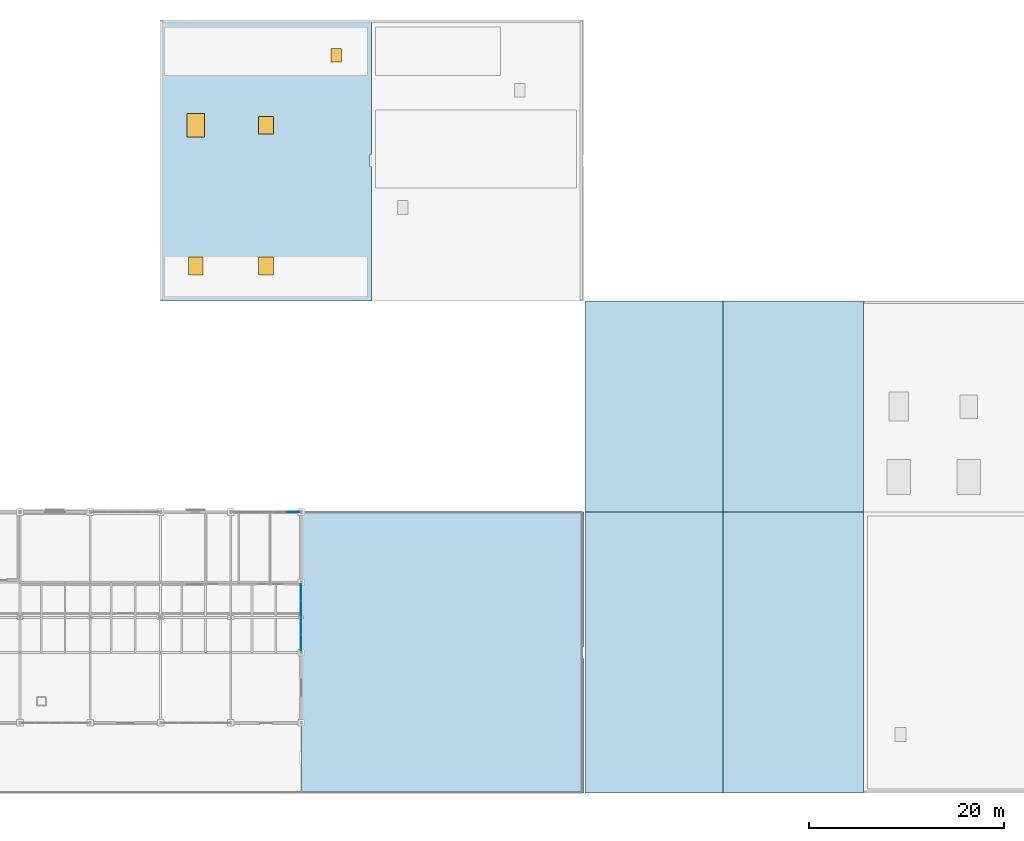
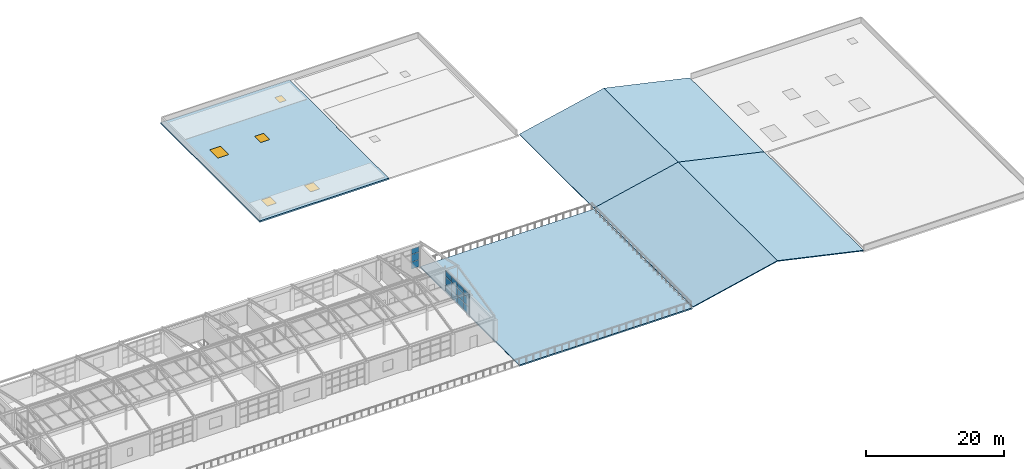
# One storey, part 87 of 101: 15 plates, 6 slabs, 4 windows, 1 door, 5 openings, 2 elements without a shape of their own.
"""IFC4 building model written with IfcOpenShell, lengths in metres."""

import ifcopenshell
import ifcopenshell.guid

model = None  # the IFC model being written
_history = None  # IfcOwnerHistory: only IFC2X3 demands one
_inside = {}  # id of a spatial element -> (the spatial element, [elements in it])
_under = {}  # id of a project, library or spatial element -> (it, [spatial elements below it])
_declared = {}  # id of a project -> (the project, [libraries it declares])
_typed = {}  # id of a type object -> (the type object, [elements of that type])
_made_of = {}  # id of a material, layer set ... -> (it, [elements and type objects made of it])


def new_model(schema):
    """Start an empty IFC model of exactly this schema.

    Asked for "IFC4X3", IfcOpenShell would pick the latest addendum, in which some entities
    have other attributes; the version numbers below select the first issue.
    IFC2X3 requires an IfcOwnerHistory on every rooted entity: one is made here for all.
    """
    global model, _history
    if schema == "IFC4X3":
        model = ifcopenshell.file(schema_version=(4, 3, 0, 0))
    else:
        model = ifcopenshell.file(schema=schema)
    _inside.clear()
    _under.clear()
    _declared.clear()
    _typed.clear()
    _made_of.clear()
    _history = None
    if model.schema == "IFC2X3":
        org = make("IfcOrganization", Name="unknown")
        user = make(
            "IfcPersonAndOrganization",
            ThePerson=make("IfcPerson", FamilyName="unknown"),
            TheOrganization=org,
        )
        app = make(
            "IfcApplication",
            ApplicationDeveloper=org,
            Version="unknown",
            ApplicationFullName="unknown",
            ApplicationIdentifier="unknown",
        )
        _history = make(
            "IfcOwnerHistory",
            OwningUser=user,
            OwningApplication=app,
            ChangeAction="ADDED",
            CreationDate=0,
        )
    return model


def make(cls, **values):
    """One entity of the class cls with the attributes given. An attribute that is None is left unset."""
    return model.create_entity(
        cls, **{name: value for name, value in values.items() if value is not None}
    )


def rooted(cls, **values):
    """An entity with a GlobalId (a new one), such as an element, a storey or a relation."""
    return make(cls, GlobalId=ifcopenshell.guid.new(), OwnerHistory=_history, **values)


def si_unit(unit_type, name, prefix=None):
    """IfcSIUnit, for example si_unit("LENGTHUNIT", "METRE", prefix="MILLI")."""
    return make("IfcSIUnit", UnitType=unit_type, Prefix=prefix, Name=name)


def assignment(units):
    """IfcUnitAssignment: the units of a project."""
    return None if units is None else make("IfcUnitAssignment", Units=units)


def point(xyz):
    """IfcCartesianPoint."""
    return None if xyz is None else make("IfcCartesianPoint", Coordinates=xyz)


def direction(xyz):
    """IfcDirection."""
    return None if xyz is None else make("IfcDirection", DirectionRatios=xyz)


def frame(location, z_axis=None, x_axis=None):
    """IfcAxis2Placement3D, a coordinate frame: its origin and axes. An axis left out is left unset."""
    return make(
        "IfcAxis2Placement3D",
        Location=point(location),
        Axis=direction(z_axis),
        RefDirection=direction(x_axis),
    )


def frame_2d(location, x_axis=None):
    """IfcAxis2Placement2D, a coordinate frame in the plane: its origin and x axis."""
    return make(
        "IfcAxis2Placement2D", Location=point(location), RefDirection=direction(x_axis)
    )


def origin():
    """The frame at (0, 0, 0) with its axes left unset."""
    return frame((0.0, 0.0, 0.0))


def origin_2d():
    """The frame at (0, 0) in the plane with its x axis left unset."""
    return frame_2d((0.0, 0.0))


def place(relative_to, where):
    """IfcLocalPlacement: puts the frame where relative to a parent placement (None: the world)."""
    return make(
        "IfcLocalPlacement", PlacementRelTo=relative_to, RelativePlacement=where
    )


def context(
    kind, dimensions, precision=None, world=None, true_north=None, identifier=None
):
    """IfcGeometricRepresentationContext, for example the 3D "Model" context."""
    return make(
        "IfcGeometricRepresentationContext",
        ContextIdentifier=identifier,
        ContextType=kind,
        CoordinateSpaceDimension=dimensions,
        Precision=precision,
        WorldCoordinateSystem=world,
        TrueNorth=true_north,
    )


def subcontext(parent, identifier, kind, view, scale=None):
    """IfcGeometricRepresentationSubContext, for example "Body" below "Model"."""
    return make(
        "IfcGeometricRepresentationSubContext",
        ContextIdentifier=identifier,
        ContextType=kind,
        ParentContext=parent,
        TargetScale=scale,
        TargetView=view,
    )


def project(units=None, contexts=None):
    """IfcProject with its units and contexts."""
    return rooted(
        "IfcProject",
        Name="project",
        RepresentationContexts=contexts,
        UnitsInContext=assignment(units),
    )


def spatial(cls, under=None, at=None, **own):
    """A site, building, storey or space (cls), placed at a placement, below another one or the project."""
    s = rooted(cls, ObjectPlacement=at, **own)
    if under is not None:
        _under.setdefault(under.id(), (under, []))[1].append(s)
    return s


def polyline(points):
    """IfcPolyline through the points."""
    return make("IfcPolyline", Points=[point(p) for p in points])


def profile(cls, at=None, kind="AREA", **sizes):
    """A parametric profile (cls). Its sizes go by their IFC names, for example OverallWidth=200.0."""
    return make(cls, ProfileType=kind, Position=at, **sizes)


def rectangle(**sizes):
    """IfcRectangleProfileDef."""
    return profile("IfcRectangleProfileDef", **sizes)


def outline(outer, holes=None, kind="AREA"):
    """IfcArbitraryClosedProfileDef: a profile drawn as a closed curve; with holes, ...WithVoids."""
    if holes is None:
        return make("IfcArbitraryClosedProfileDef", ProfileType=kind, OuterCurve=outer)
    return make(
        "IfcArbitraryProfileDefWithVoids",
        ProfileType=kind,
        OuterCurve=outer,
        InnerCurves=holes,
    )


def extrude(swept, where, along, depth):
    """IfcExtrudedAreaSolid: the profile swept, set in the frame where, extruded along a direction by depth."""
    return make(
        "IfcExtrudedAreaSolid",
        SweptArea=swept,
        Position=where,
        ExtrudedDirection=direction(along),
        Depth=depth,
    )


def shape(context_of_items, identifier, shape_type, items):
    """IfcShapeRepresentation: the items that make up one representation, for example the "Body"."""
    return make(
        "IfcShapeRepresentation",
        ContextOfItems=context_of_items,
        RepresentationIdentifier=identifier,
        RepresentationType=shape_type,
        Items=items,
    )


def material(Name=None, Category=None):
    """IfcMaterial."""
    return make("IfcMaterial", Name=Name, Category=Category)


def layer(
    of_material, thickness, ventilated=None, Name=None, Category=None, Priority=None
):
    """IfcMaterialLayer: one layer of a wall or slab, of a material (None: an air gap)."""
    return make(
        "IfcMaterialLayer",
        Material=of_material,
        LayerThickness=thickness,
        IsVentilated=ventilated,
        Name=Name,
        Category=Category,
        Priority=Priority,
    )


def layer_set(layers, Name=None):
    """IfcMaterialLayerSet."""
    return make("IfcMaterialLayerSet", MaterialLayers=layers, LayerSetName=Name)


def made_of(thing, what):
    """Note that an element or type object is made of a material, layer set ...; save() writes the relation."""
    if what is not None:
        _made_of.setdefault(what.id(), (what, []))[1].append(thing)
    return thing


def type_object(cls, material=None, **own):
    """A type object (cls), such as IfcWallType, which elements share."""
    return made_of(rooted(cls, **own), material)


def element(
    cls,
    number,
    at=None,
    inside=None,
    cuts=None,
    type_object=None,
    material=None,
    context=None,
    identifier="Body",
    shape_type=None,
    held_by="IfcProductDefinitionShape",
    body=None,
    shapes=None,
    **own,
):
    """One element of the class cls, such as IfcWall. Its Tag is "e" and its number.

    at: its placement. inside: the storey or other place that contains it. cuts: it is an
    opening in that element (IfcRelVoidsElement). A single representation is given by context,
    identifier, shape_type and body (its items); several are given by shapes. held_by: the class
    of the entity that holds the representations. save() writes the other relations.
    """
    e = rooted(cls, Tag="e%d" % number, ObjectPlacement=at, **own)
    if body is not None:
        shapes = [shape(context, identifier, shape_type, body)]
    if shapes is not None:
        e.Representation = make(held_by, Representations=shapes)
    if inside is not None:
        _inside.setdefault(inside.id(), (inside, []))[1].append(e)
    if cuts is not None:
        rooted(
            "IfcRelVoidsElement", RelatingBuildingElement=cuts, RelatedOpeningElement=e
        )
    if type_object is not None:
        _typed.setdefault(type_object.id(), (type_object, []))[1].append(e)
    return made_of(e, material)


def fill(opening, filler):
    """IfcRelFillsElement: the door or window that sits in an opening."""
    return rooted(
        "IfcRelFillsElement",
        RelatingOpeningElement=opening,
        RelatedBuildingElement=filler,
    )


def aggregate(whole, parts):
    """IfcRelAggregates: a whole, such as a stair, and the parts it consists of."""
    return rooted("IfcRelAggregates", RelatingObject=whole, RelatedObjects=parts)


def save(model, path):
    """Write the relations noted so far, then the file.

    IfcRelAggregates (storeys below a building ...), IfcRelContainedInSpatialStructure (elements
    in a storey), IfcRelDefinesByType, IfcRelAssociatesMaterial and IfcRelDeclares: one each for
    every whole, place, type object, material and project.
    """
    for whole, parts in _under.values():
        aggregate(whole, parts)
    for where, things in _inside.values():
        rooted(
            "IfcRelContainedInSpatialStructure",
            RelatedElements=things,
            RelatingStructure=where,
        )
    for kind, things in _typed.values():
        rooted("IfcRelDefinesByType", RelatedObjects=things, RelatingType=kind)
    for what, things in _made_of.values():
        rooted("IfcRelAssociatesMaterial", RelatedObjects=things, RelatingMaterial=what)
    for by, libraries in _declared.values():
        rooted("IfcRelDeclares", RelatingContext=by, RelatedDefinitions=libraries)
    model.write(path)


model = new_model("IFC4")

# Units and contexts
model_context = context("Model", 3, precision=1e-05, world=origin(), true_north=direction((0.0, 1.0)))
body_context = subcontext(model_context, "Body", "Model", "MODEL_VIEW")
ifc_project = project(units=[si_unit("LENGTHUNIT", "METRE"), si_unit("AREAUNIT", "SQUARE_METRE"), si_unit("VOLUMEUNIT", "CUBIC_METRE"), si_unit("PLANEANGLEUNIT", "RADIAN"), si_unit("MASSUNIT", "GRAM", prefix="KILO")], contexts=[model_context])

# Site, building, storey
site_placement = place(None, origin())
site = spatial("IfcSite", under=ifc_project, at=site_placement, CompositionType="ELEMENT")
building_placement = place(site_placement, origin())
building = spatial("IfcBuilding", under=site, at=building_placement, Name="Kemerveld Promenade Tramway Depot", CompositionType="ELEMENT")
storey_placement = place(building_placement, frame((0.0, 0.0, 9.89990234375)))
storey = spatial("IfcBuildingStorey", under=building, at=storey_placement, Name="L02", CompositionType="ELEMENT", Elevation=9.89990234375)

# Curtain wall, plates
ifc_material_1 = material(Name="Bronze anodised aluminium and solar glass", Category="aluminium")
ifc_layer_1 = layer(ifc_material_1, 0.159912109375)
ifc_layer_set_1 = layer_set([ifc_layer_1], Name="CW-SYS-13")
curtain_wall_type_1 = type_object("IfcCurtainWallType", Name="CW-SYS-13", PredefinedType="USERDEFINED", material=ifc_layer_set_1)
curtain_wall_1_placement = place(storey_placement, origin())
curtain_wall_1 = element("IfcCurtainWall", 1, at=curtain_wall_1_placement, inside=storey, type_object=curtain_wall_type_1, Name="CW-L02-V4N-10", ObjectType="GLAZED_CURTAIN_WALL", PredefinedType="USERDEFINED")
ifc_material_2 = material(Name="Solar-control laminated double glazing", Category="glass")
ifc_layer_2 = layer(ifc_material_2, 0.031982421875)
ifc_layer_set_2 = layer_set([ifc_layer_2], Name="CW-PNL-05")
plate_type = type_object("IfcPlateType", Name="CW-PNL-05", PredefinedType="CURTAIN_PANEL", material=ifc_layer_set_2)
plate_1_placement = place(storey_placement, frame((128.763916015625, 28.800048828125, 0.06005859375), z_axis=(0.0, 0.0, 1.0), x_axis=(1.0, 0.0, 0.0)))
plate_1 = element("IfcPlate", 2, at=plate_1_placement, type_object=plate_type, Name="CW13 panel 5.1", PredefinedType="CURTAIN_PANEL", context=body_context, shape_type="SweptSolid", body=[
    extrude(rectangle(XDim=1.29248046875, YDim=0.031982421875, at=origin_2d()), origin(), (0.0, 0.0, 1.0), 1.18896484375),
])
plate_2_placement = place(storey_placement, frame((128.763916015625, 28.800048828125, 1.30908203125), z_axis=(0.0, 0.0, 1.0), x_axis=(1.0, 0.0, 0.0)))
plate_2 = element("IfcPlate", 3, at=plate_2_placement, type_object=plate_type, Name="CW13 panel 5.2", PredefinedType="CURTAIN_PANEL", context=body_context, shape_type="SweptSolid", body=[
    extrude(rectangle(XDim=1.29248046875, YDim=0.031982421875, at=origin_2d()), origin(), (0.0, 0.0, 1.0), 1.29296875),
])
plate_3_placement = place(storey_placement, frame((128.763916015625, 28.800048828125, 2.662109375), z_axis=(0.0, 0.0, 1.0), x_axis=(1.0, 0.0, 0.0)))
plate_3 = element("IfcPlate", 4, at=plate_3_placement, type_object=plate_type, Name="CW13 panel 5.3", PredefinedType="CURTAIN_PANEL", context=body_context, shape_type="SweptSolid", body=[
    extrude(rectangle(XDim=1.29248046875, YDim=0.031982421875, at=origin_2d()), origin(), (0.0, 0.0, 1.0), 0.93310546875),
])
aggregate(curtain_wall_1, [plate_1, plate_2, plate_3])

ifc_layer_3 = layer(ifc_material_1, 0.159912109375)
ifc_layer_set_3 = layer_set([ifc_layer_3], Name="CW-SYS-05")
curtain_wall_type_2 = type_object("IfcCurtainWallType", Name="CW-SYS-05", PredefinedType="USERDEFINED", material=ifc_layer_set_3)
curtain_wall_2_placement = place(storey_placement, origin())
curtain_wall_2 = element("IfcCurtainWall", 5, at=curtain_wall_2_placement, inside=storey, type_object=curtain_wall_type_2, Name="CW-L02-V4E-02", ObjectType="GLAZED_CURTAIN_WALL", PredefinedType="USERDEFINED")
plate_4_placement = place(storey_placement, frame((129.60009765625, 20.590087890625, 0.06005859375), z_axis=(0.0, 0.0, 1.0), x_axis=(0.0, -1.0, 0.0)))
plate_4 = element("IfcPlate", 6, at=plate_4_placement, type_object=plate_type, Name="CW05 panel 1.1", PredefinedType="CURTAIN_PANEL", context=body_context, shape_type="SweptSolid", body=[
    extrude(rectangle(XDim=1.64013671875, YDim=0.031982421875, at=origin_2d()), origin(), (0.0, 0.0, 1.0), 1.239990234375),
])
plate_5_placement = place(storey_placement, frame((129.60009765625, 20.590087890625, 1.3603515625), z_axis=(0.0, 0.0, 1.0), x_axis=(0.0, -1.0, 0.0)))
plate_5 = element("IfcPlate", 7, at=plate_5_placement, type_object=plate_type, Name="CW05 panel 1.2", PredefinedType="CURTAIN_PANEL", context=body_context, shape_type="SweptSolid", body=[
    extrude(rectangle(XDim=1.64013671875, YDim=0.031982421875, at=origin_2d()), origin(), (0.0, 0.0, 1.0), 1.345947265625),
])
plate_6_placement = place(storey_placement, frame((129.60009765625, 20.590087890625, 2.76611328125), z_axis=(0.0, 0.0, 1.0), x_axis=(0.0, -1.0, 0.0)))
plate_6 = element("IfcPlate", 8, at=plate_6_placement, type_object=plate_type, Name="CW05 panel 1.3", PredefinedType="CURTAIN_PANEL", context=body_context, shape_type="SweptSolid", body=[
    extrude(rectangle(XDim=1.64013671875, YDim=0.031982421875, at=origin_2d()), origin(), (0.0, 0.0, 1.0), 0.97412109375),
])
plate_7_placement = place(storey_placement, frame((129.60009765625, 18.868896484375, 0.06005859375), z_axis=(0.0, 0.0, 1.0), x_axis=(0.0, -1.0, 0.0)))
plate_7 = element("IfcPlate", 9, at=plate_7_placement, type_object=plate_type, Name="CW05 panel 2.1", PredefinedType="CURTAIN_PANEL", context=body_context, shape_type="SweptSolid", body=[
    extrude(rectangle(XDim=1.672607421875, YDim=0.031982421875, at=origin_2d()), origin(), (0.0, 0.0, 1.0), 1.239990234375),
])
plate_8_placement = place(storey_placement, frame((129.60009765625, 18.868896484375, 1.3603515625), z_axis=(0.0, 0.0, 1.0), x_axis=(0.0, -1.0, 0.0)))
plate_8 = element("IfcPlate", 10, at=plate_8_placement, type_object=plate_type, Name="CW05 panel 2.2", PredefinedType="CURTAIN_PANEL", context=body_context, shape_type="SweptSolid", body=[
    extrude(rectangle(XDim=1.672607421875, YDim=0.031982421875, at=origin_2d()), origin(), (0.0, 0.0, 1.0), 1.345947265625),
])
plate_9_placement = place(storey_placement, frame((129.60009765625, 18.868896484375, 2.76611328125), z_axis=(0.0, 0.0, 1.0), x_axis=(0.0, -1.0, 0.0)))
plate_9 = element("IfcPlate", 11, at=plate_9_placement, type_object=plate_type, Name="CW05 panel 2.3", PredefinedType="CURTAIN_PANEL", context=body_context, shape_type="SweptSolid", body=[
    extrude(rectangle(XDim=1.672607421875, YDim=0.031982421875, at=origin_2d()), origin(), (0.0, 0.0, 1.0), 0.97412109375),
])
plate_10_placement = place(storey_placement, frame((129.60009765625, 17.131103515625, 0.06005859375), z_axis=(0.0, 0.0, 1.0), x_axis=(0.0, -1.0, 0.0)))
plate_10 = element("IfcPlate", 12, at=plate_10_placement, type_object=plate_type, Name="CW05 panel 3.1", PredefinedType="CURTAIN_PANEL", context=body_context, shape_type="SweptSolid", body=[
    extrude(rectangle(XDim=1.672607421875, YDim=0.031982421875, at=origin_2d()), origin(), (0.0, 0.0, 1.0), 1.239990234375),
])
plate_11_placement = place(storey_placement, frame((129.60009765625, 17.131103515625, 1.3603515625), z_axis=(0.0, 0.0, 1.0), x_axis=(0.0, -1.0, 0.0)))
plate_11 = element("IfcPlate", 13, at=plate_11_placement, type_object=plate_type, Name="CW05 panel 3.2", PredefinedType="CURTAIN_PANEL", context=body_context, shape_type="SweptSolid", body=[
    extrude(rectangle(XDim=1.672607421875, YDim=0.031982421875, at=origin_2d()), origin(), (0.0, 0.0, 1.0), 1.345947265625),
])
plate_12_placement = place(storey_placement, frame((129.60009765625, 17.131103515625, 2.76611328125), z_axis=(0.0, 0.0, 1.0), x_axis=(0.0, -1.0, 0.0)))
plate_12 = element("IfcPlate", 14, at=plate_12_placement, type_object=plate_type, Name="CW05 panel 3.3", PredefinedType="CURTAIN_PANEL", context=body_context, shape_type="SweptSolid", body=[
    extrude(rectangle(XDim=1.672607421875, YDim=0.031982421875, at=origin_2d()), origin(), (0.0, 0.0, 1.0), 0.97412109375),
])
plate_13_placement = place(storey_placement, frame((129.60009765625, 15.409912109375, 0.06005859375), z_axis=(0.0, 0.0, 1.0), x_axis=(0.0, -1.0, 0.0)))
plate_13 = element("IfcPlate", 15, at=plate_13_placement, type_object=plate_type, Name="CW05 panel 4.1", PredefinedType="CURTAIN_PANEL", context=body_context, shape_type="SweptSolid", body=[
    extrude(rectangle(XDim=1.64013671875, YDim=0.031982421875, at=origin_2d()), origin(), (0.0, 0.0, 1.0), 1.239990234375),
])
plate_14_placement = place(storey_placement, frame((129.60009765625, 15.409912109375, 1.3603515625), z_axis=(0.0, 0.0, 1.0), x_axis=(0.0, -1.0, 0.0)))
plate_14 = element("IfcPlate", 16, at=plate_14_placement, type_object=plate_type, Name="CW05 panel 4.2", PredefinedType="CURTAIN_PANEL", context=body_context, shape_type="SweptSolid", body=[
    extrude(rectangle(XDim=1.64013671875, YDim=0.031982421875, at=origin_2d()), origin(), (0.0, 0.0, 1.0), 1.345947265625),
])
plate_15_placement = place(storey_placement, frame((129.60009765625, 15.409912109375, 2.76611328125), z_axis=(0.0, 0.0, 1.0), x_axis=(0.0, -1.0, 0.0)))
plate_15 = element("IfcPlate", 17, at=plate_15_placement, type_object=plate_type, Name="CW05 panel 4.3", PredefinedType="CURTAIN_PANEL", context=body_context, shape_type="SweptSolid", body=[
    extrude(rectangle(XDim=1.64013671875, YDim=0.031982421875, at=origin_2d()), origin(), (0.0, 0.0, 1.0), 0.97412109375),
])
aggregate(curtain_wall_2, [plate_4, plate_5, plate_6, plate_7, plate_8, plate_9, plate_10, plate_11, plate_12, plate_13, plate_14, plate_15])

# Slabs
ifc_material_3 = material(Name="Concrete C35/45", Category="concrete")
ifc_layer_4 = layer(ifc_material_3, 0.14990234375)
ifc_layer_set_4 = layer_set([ifc_layer_4], Name="SL-RF03")
slab_type_1 = type_object("IfcSlabType", Name="SL-RF03", PredefinedType="ROOF", material=ifc_layer_set_4)
slab_1_placement = place(storey_placement, frame((158.659912109375, 0.0, 0.150146484375), z_axis=(-0.220721378156, 0.0, 0.975336902421), x_axis=(0.975336902421, 0.0, 0.220721378156)))
element("IfcSlab", 18, at=slab_1_placement, inside=storey, type_object=slab_type_1, Name="SLB-RF-V2W-1A", PredefinedType="ROOF", context=body_context, shape_type="SweptSolid", body=[
    extrude(outline(polyline([(0.0, 0.0), (14.497694779768478, 0.0), (14.497694779768478, 28.800048828125), (0.0, 28.800048828125), (0.0, 0.0)])), origin(), (0.0, 0.0, -1.0), 0.14990234375),
])
slab_2_placement = place(storey_placement, frame((172.800048828125, 0.0, 3.35009765625), z_axis=(0.216928705402, 0.0, 0.976187449608), x_axis=(0.976187449608, 0.0, -0.216928705402)))
element("IfcSlab", 19, at=slab_2_placement, inside=storey, type_object=slab_type_1, Name="SLB-RF-V2W-1B", PredefinedType="ROOF", context=body_context, shape_type="SweptSolid", body=[
    extrude(outline(polyline([(0.0, 0.0), (14.751165208617284, 0.0), (14.751165208617284, 28.800048828125), (0.0, 28.800048828125), (0.0, 0.0)])), origin(), (0.0, 0.0, -1.0), 0.14990234375),
])
slab_3_placement = place(storey_placement, frame((158.659912109375, 28.800048828125, 0.150146484375), z_axis=(-0.220721378156, 0.0, 0.975336902421), x_axis=(0.975336902421, 0.0, 0.220721378156)))
element("IfcSlab", 20, at=slab_3_placement, inside=storey, type_object=slab_type_1, Name="SLB-RF-V2W-2A", PredefinedType="ROOF", context=body_context, shape_type="SweptSolid", body=[
    extrude(outline(polyline([(0.0, 0.0), (14.497694779768478, 0.0), (14.497694779768478, 21.599853515625), (0.0, 21.599853515625), (0.0, 0.0)])), origin(), (0.0, 0.0, -1.0), 0.14990234375),
])
slab_4_placement = place(storey_placement, frame((172.800048828125, 28.800048828125, 3.35009765625), z_axis=(0.216928705402, 0.0, 0.976187449608), x_axis=(0.976187449608, 0.0, -0.216928705402)))
element("IfcSlab", 21, at=slab_4_placement, inside=storey, type_object=slab_type_1, Name="SLB-RF-V2W-2B", PredefinedType="ROOF", context=body_context, shape_type="SweptSolid", body=[
    extrude(outline(polyline([(0.0, 0.0), (14.751165208617284, 0.0), (14.751165208617284, 21.599853515625004), (0.0, 21.599853515625004), (0.0, 0.0)])), origin(), (0.0, 0.0, -1.0), 0.14990234375),
])

# Slab, openings, door, windows
ifc_layer_5 = layer(ifc_material_3, 0.260009765625)
ifc_layer_set_5 = layer_set([ifc_layer_5], Name="SL-RF05")
slab_type_2 = type_object("IfcSlabType", Name="SL-RF05", PredefinedType="ROOF", material=ifc_layer_set_5)
slab_5_placement = place(storey_placement, frame((0.0, 0.0, -0.260009765625)))
slab_5 = element("IfcSlab", 22, at=slab_5_placement, inside=storey, type_object=slab_type_2, Name="SLB-RF-V3-WEST", PredefinedType="ROOF", context=body_context, shape_type="SweptSolid", body=[
    extrude(outline(polyline([(115.199951171875, 50.39990234375), (136.800048828125, 50.39990234375), (136.800048828125, 64.199951171875), (136.659912109375, 64.199951171875), (136.659912109375, 65.39990234375), (136.800048828125, 65.39990234375), (136.800048828125, 79.199951171875), (115.199951171875, 79.199951171875), (115.199951171875, 50.39990234375)])), origin(), (0.0, 0.0, 1.0), 0.260009765625),
])
opening_1_placement = place(slab_5_placement, frame((118.800048828125, 54.0, 0.0)))
opening_1 = element("IfcOpeningElement", 23, at=opening_1_placement, cuts=slab_5, Name="Opening SK-07", PredefinedType="OPENING", context=body_context, shape_type="SweptSolid", body=[
    extrude(rectangle(XDim=1.5, YDim=1.800048828125, at=origin_2d()), frame((0.0, 0.0, -0.010009765625)), (0.0, 0.0, 1.0), 0.280029296875),
])
opening_2_placement = place(slab_5_placement, frame((126.0, 54.0, 0.0)))
opening_2 = element("IfcOpeningElement", 24, at=opening_2_placement, cuts=slab_5, Name="Opening SK-08", PredefinedType="OPENING", context=body_context, shape_type="SweptSolid", body=[
    extrude(rectangle(XDim=1.5, YDim=1.800048828125, at=origin_2d()), frame((0.0, 0.0, -0.010009765625)), (0.0, 0.0, 1.0), 0.280029296875),
])
opening_3_placement = place(slab_5_placement, frame((118.800048828125, 68.39990234375, 0.0)))
opening_3 = element("IfcOpeningElement", 25, at=opening_3_placement, cuts=slab_5, Name="Opening SK-09", PredefinedType="OPENING", context=body_context, shape_type="SweptSolid", body=[
    extrude(rectangle(XDim=1.800048828125, YDim=2.39990234375, at=origin_2d()), frame((0.0, 0.0, -0.010009765625)), (0.0, 0.0, 1.0), 0.280029296875),
])
opening_4_placement = place(slab_5_placement, frame((126.0, 68.39990234375, 0.0)))
opening_4 = element("IfcOpeningElement", 26, at=opening_4_placement, cuts=slab_5, Name="Opening SK-10", PredefinedType="OPENING", context=body_context, shape_type="SweptSolid", body=[
    extrude(rectangle(XDim=1.5, YDim=1.800048828125, at=origin_2d()), frame((0.0, 0.0, -0.010009765625)), (0.0, 0.0, 1.0), 0.280029296875),
])
opening_5_placement = place(slab_5_placement, frame((133.199951171875, 75.60009765625, 0.0)))
opening_5 = element("IfcOpeningElement", 27, at=opening_5_placement, cuts=slab_5, Name="Opening HT-03", PredefinedType="OPENING", context=body_context, shape_type="SweptSolid", body=[
    extrude(rectangle(XDim=1.10009765625, YDim=1.39990234375, at=origin_2d()), frame((0.0, 0.0, -0.010009765625)), (0.0, 0.0, 1.0), 0.280029296875),
])
ifc_material_4 = material(Name="Insulated aluminium smoke and maintenance roof hatch", Category="aluminium")
door_type = type_object("IfcDoorType", Name="DR-TRAP1", OperationType="SINGLE_SWING_LEFT", PredefinedType="TRAPDOOR", material=ifc_material_4)
door_placement = place(opening_5_placement, frame((0.0, 0.0, 0.2099609375)))
door = element("IfcDoor", 28, at=door_placement, inside=storey, type_object=door_type, Name="HT-03", OperationType="SINGLE_SWING_LEFT", OverallHeight=1.39990234375, OverallWidth=1.10009765625, PredefinedType="TRAPDOOR", context=body_context, shape_type="SweptSolid", body=[
    extrude(rectangle(XDim=1.10009765625, YDim=1.39990234375, at=origin_2d()), origin(), (0.0, 0.0, 1.0), 0.050048828125),
])
fill(opening_5, door)
ifc_material_5 = material(Name="Thermally broken aluminium and laminated safety glass", Category="aluminium")
window_type_1 = type_object("IfcWindowType", Name="SK-03", PartitioningType="SINGLE_PANEL", PredefinedType="SKYLIGHT", material=ifc_material_5)
window_1_placement = place(opening_3_placement, frame((0.0, 0.0, 0.2099609375)))
window_1 = element("IfcWindow", 29, at=window_1_placement, inside=storey, type_object=window_type_1, Name="SKY-09", OverallHeight=2.39990234375, OverallWidth=1.800048828125, PartitioningType="SINGLE_PANEL", PredefinedType="SKYLIGHT", context=body_context, shape_type="SweptSolid", body=[
    extrude(rectangle(XDim=1.800048828125, YDim=2.39990234375, at=origin_2d()), origin(), (0.0, 0.0, 1.0), 0.050048828125),
])
fill(opening_3, window_1)
window_type_2 = type_object("IfcWindowType", Name="SK-04", PartitioningType="SINGLE_PANEL", PredefinedType="SKYLIGHT", material=ifc_material_5)
window_2_placement = place(opening_1_placement, frame((0.0, 0.0, 0.2099609375)))
window_2 = element("IfcWindow", 30, at=window_2_placement, inside=storey, type_object=window_type_2, Name="SKY-07", OverallHeight=1.800048828125, OverallWidth=1.5, PartitioningType="SINGLE_PANEL", PredefinedType="SKYLIGHT", context=body_context, shape_type="SweptSolid", body=[
    extrude(rectangle(XDim=1.5, YDim=1.800048828125, at=origin_2d()), origin(), (0.0, 0.0, 1.0), 0.050048828125),
])
fill(opening_1, window_2)
window_3_placement = place(opening_2_placement, frame((0.0, 0.0, 0.2099609375)))
window_3 = element("IfcWindow", 31, at=window_3_placement, inside=storey, type_object=window_type_2, Name="SKY-08", OverallHeight=1.800048828125, OverallWidth=1.5, PartitioningType="SINGLE_PANEL", PredefinedType="SKYLIGHT", context=body_context, shape_type="SweptSolid", body=[
    extrude(rectangle(XDim=1.5, YDim=1.800048828125, at=origin_2d()), origin(), (0.0, 0.0, 1.0), 0.050048828125),
])
fill(opening_2, window_3)
window_4_placement = place(opening_4_placement, frame((0.0, 0.0, 0.2099609375)))
window_4 = element("IfcWindow", 32, at=window_4_placement, inside=storey, type_object=window_type_2, Name="SKY-10", OverallHeight=1.800048828125, OverallWidth=1.5, PartitioningType="SINGLE_PANEL", PredefinedType="SKYLIGHT", context=body_context, shape_type="SweptSolid", body=[
    extrude(rectangle(XDim=1.5, YDim=1.800048828125, at=origin_2d()), origin(), (0.0, 0.0, 1.0), 0.050048828125),
])
fill(opening_4, window_4)

# Slab
ifc_layer_6 = layer(ifc_material_3, 0.239990234375)
ifc_layer_set_6 = layer_set([ifc_layer_6], Name="SL-TR01")
slab_type_3 = type_object("IfcSlabType", Name="SL-TR01", PredefinedType="FLOOR", material=ifc_layer_set_6)
slab_6_placement = place(storey_placement, frame((0.0, 0.0, -0.239990234375)))
element("IfcSlab", 33, at=slab_6_placement, inside=storey, type_object=slab_type_3, Name="SLB-TER-L02-PROM", PredefinedType="FLOOR", context=body_context, shape_type="SweptSolid", body=[
    extrude(outline(polyline([(129.60009765625, 0.0), (158.60009765625, 0.0), (158.60009765625, 13.800048828125), (158.4599609375, 13.800048828125), (158.4599609375, 15.0), (158.60009765625, 15.0), (158.60009765625, 28.800048828125), (129.60009765625, 28.800048828125), (129.60009765625, 0.0)])), origin(), (0.0, 0.0, 1.0), 0.239990234375),
])

save(model, "model.ifc")
